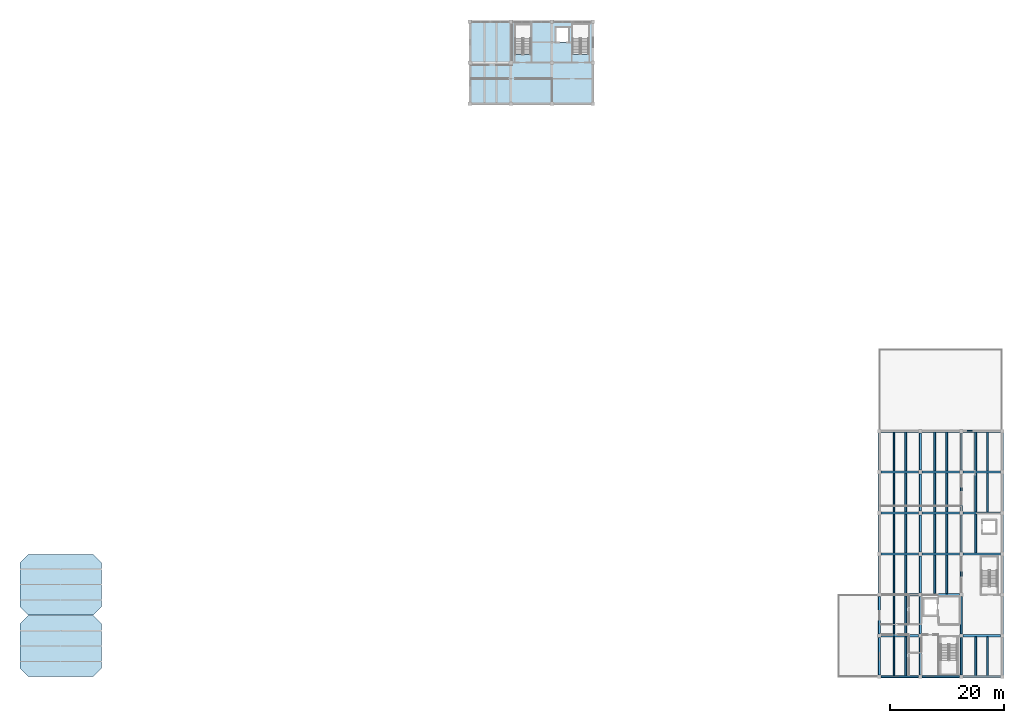
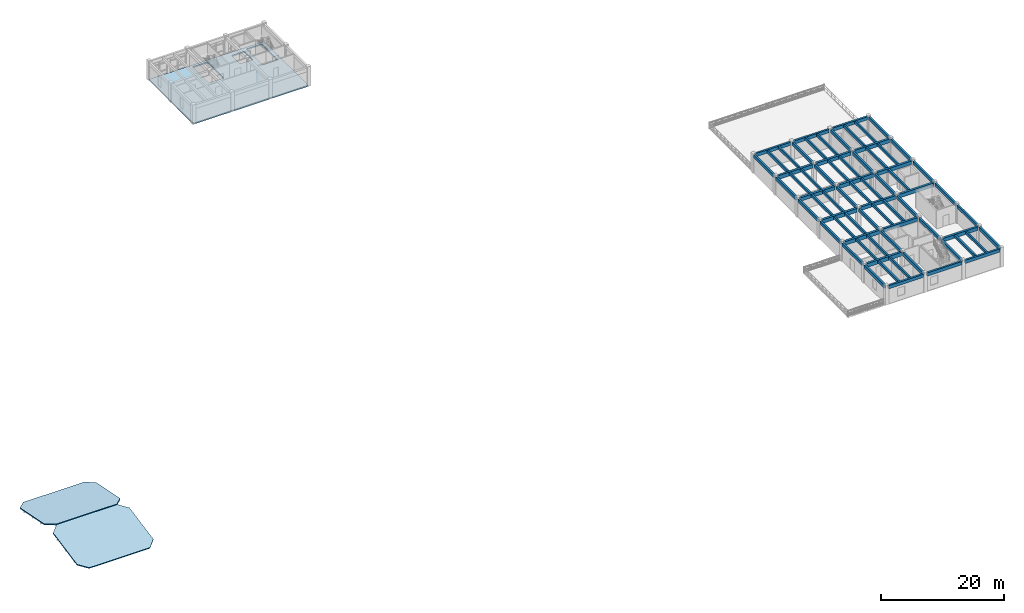
# One storey, part 4 of 13: 70 beams, 3 slabs.
"""IFC4 building model written with IfcOpenShell, lengths in metres."""

from ifc_helpers import new_model, si_unit, direction, frame, origin, origin_2d, place, context, subcontext, project, spatial, polyline, rectangle, outline, extrude, material, layer, layer_set, material_profile, profile_set, type_object, element, save


model = new_model("IFC4")

# Units and contexts
model_context = context("Model", 3, precision=1e-05, world=origin(), true_north=direction((0.0, 1.0)))
body_context = subcontext(model_context, "Body", "Model", "MODEL_VIEW")
ifc_project = project(units=[si_unit("LENGTHUNIT", "METRE"), si_unit("AREAUNIT", "SQUARE_METRE"), si_unit("VOLUMEUNIT", "CUBIC_METRE"), si_unit("PLANEANGLEUNIT", "RADIAN"), si_unit("MASSUNIT", "GRAM", prefix="KILO")], contexts=[model_context])

# Site, building, storey
site_placement = place(None, origin())
site = spatial("IfcSite", under=ifc_project, at=site_placement, CompositionType="ELEMENT")
building_placement = place(site_placement, origin())
building = spatial("IfcBuilding", under=site, at=building_placement, Name="Koriwan Promenade Central Fire Station", CompositionType="ELEMENT")
storey_placement = place(building_placement, frame((0.0, 0.0, 13.5)))
storey = spatial("IfcBuildingStorey", under=building, at=storey_placement, Name="L03", CompositionType="ELEMENT", Elevation=13.5)

# Beams
ifc_material = material(Name="Concrete C35/45", Category="concrete")
ifc_material_profile_1 = material_profile(ifc_material, rectangle(XDim=0.300048828125, YDim=0.5, at=origin_2d()), Name="RC-BM-300x500")
ifc_profile_set_1 = profile_set([ifc_material_profile_1], Name="Concrete C35/45")
beam_type_1 = type_object("IfcBeamType", Name="Beam_RC-BM-300x500", PredefinedType="JOIST", material=ifc_profile_set_1)
for number, where, z_axis, x_axis, name in (
    (1, (153.751953125, 0.175048828125, 3.3701171875), (0.0, 1.0, 0.0), (-1.0, 0.0, 0.0), "V5 L03 secondary joist 903"),
    (2, (168.152099609375, 0.175048828125, 3.3701171875), (0.0, 1.0, 0.0), (-1.0, 0.0, 0.0), "V5 L03 secondary joist 905"),
):
    element("IfcBeam", number, at=place(storey_placement, frame(where, z_axis=z_axis, x_axis=x_axis)), inside=storey, type_object=beam_type_1, Name=name, PredefinedType="JOIST", context=body_context, shape_type="SweptSolid", body=[
        extrude(rectangle(XDim=0.300048828125, YDim=0.5, at=origin_2d()), origin(), (0.0, 0.0, 1.0), 6.824951171875),
    ])
beam_1_placement = place(storey_placement, frame((153.751953125, 7.39990234375, 3.3701171875), z_axis=(0.0, 1.0, 0.0), x_axis=(-1.0, 0.0, 0.0)))
element("IfcBeam", 3, at=beam_1_placement, inside=storey, type_object=beam_type_1, Name="V5 L03 secondary joist 907", PredefinedType="JOIST", context=body_context, shape_type="SweptSolid", body=[
    extrude(rectangle(XDim=0.300048828125, YDim=0.5, at=origin_2d()), origin(), (0.0, 0.0, 1.0), 6.800048828125),
])
for number, where, z_axis, x_axis, name in (
    (4, (153.751953125, 14.60009765625, 3.3701171875), (0.0, 1.0, 0.0), (-1.0, 0.0, 0.0), "V5 L03 secondary joist 909"),
    (5, (160.951904296875, 14.60009765625, 3.3701171875), (0.0, 1.0, 0.0), (-1.0, 0.0, 0.0), "V5 L03 secondary joist 911"),
):
    element("IfcBeam", number, at=place(storey_placement, frame(where, z_axis=z_axis, x_axis=x_axis)), inside=storey, type_object=beam_type_1, Name=name, PredefinedType="JOIST", context=body_context, shape_type="SweptSolid", body=[
        extrude(rectangle(XDim=0.300048828125, YDim=0.5, at=origin_2d()), origin(), (0.0, 0.0, 1.0), 6.7998046875),
    ])
for number, where, z_axis, x_axis, name in (
    (6, (153.751953125, 21.800048828125, 3.3701171875), (0.0, 1.0, 0.0), (-1.0, 0.0, 0.0), "V5 L03 secondary joist 913"),
    (7, (160.951904296875, 21.800048828125, 3.3701171875), (0.0, 1.0, 0.0), (-1.0, 0.0, 0.0), "V5 L03 secondary joist 915"),
    (8, (168.152099609375, 21.800048828125, 3.3701171875), (0.0, 1.0, 0.0), (-1.0, 0.0, 0.0), "V5 L03 secondary joist 917"),
    (9, (155.847900390625, 29.0, 3.3701171875), (0.0, 1.0, 0.0), (-1.0, 0.0, 0.0), "V5 L03 secondary joist 919"),
    (10, (163.048095703125, 29.0, 3.3701171875), (0.0, 1.0, 0.0), (-1.0, 0.0, 0.0), "V5 L03 secondary joist 921"),
    (11, (170.248046875, 29.0, 3.3701171875), (0.0, 1.0, 0.0), (-1.0, 0.0, 0.0), "V5 L03 secondary joist 923"),
):
    element("IfcBeam", number, at=place(storey_placement, frame(where, z_axis=z_axis, x_axis=x_axis)), inside=storey, type_object=beam_type_1, Name=name, PredefinedType="JOIST", context=body_context, shape_type="SweptSolid", body=[
        extrude(rectangle(XDim=0.300048828125, YDim=0.5, at=origin_2d()), origin(), (0.0, 0.0, 1.0), 6.800048828125),
    ])
for number, where, z_axis, x_axis, name in (
    (12, (155.847900390625, 36.199951171875, 3.3701171875), (0.0, 1.0, 0.0), (-1.0, 0.0, 0.0), "V5 L03 secondary joist 925"),
    (13, (163.048095703125, 36.199951171875, 3.3701171875), (0.0, 1.0, 0.0), (-1.0, 0.0, 0.0), "V5 L03 secondary joist 927"),
    (14, (170.248046875, 36.199951171875, 3.3701171875), (0.0, 1.0, 0.0), (-1.0, 0.0, 0.0), "V5 L03 secondary joist 929"),
):
    element("IfcBeam", number, at=place(storey_placement, frame(where, z_axis=z_axis, x_axis=x_axis)), inside=storey, type_object=beam_type_1, Name=name, PredefinedType="JOIST", context=body_context, shape_type="SweptSolid", body=[
        extrude(rectangle(XDim=0.300048828125, YDim=0.5, at=origin_2d()), origin(), (0.0, 0.0, 1.0), 6.824951171875),
    ])
ifc_material_profile_2 = material_profile(ifc_material, rectangle(XDim=0.300048828125, YDim=0.550048828125, at=origin_2d()), Name="RC-BM-300x550")
ifc_profile_set_2 = profile_set([ifc_material_profile_2], Name="Concrete C35/45")
beam_type_2 = type_object("IfcBeamType", Name="Beam_RC-BM-300x550", PredefinedType="JOIST", material=ifc_profile_set_2)
for number, where, z_axis, x_axis, name in (
    (15, (155.847900390625, 0.175048828125, 3.344970703125), (0.0, 1.0, 0.0), (-1.0, 0.0, 0.0), "V5 L03 secondary joist 904"),
    (16, (170.248046875, 0.175048828125, 3.344970703125), (0.0, 1.0, 0.0), (-1.0, 0.0, 0.0), "V5 L03 secondary joist 906"),
):
    element("IfcBeam", number, at=place(storey_placement, frame(where, z_axis=z_axis, x_axis=x_axis)), inside=storey, type_object=beam_type_2, Name=name, PredefinedType="JOIST", context=body_context, shape_type="SweptSolid", body=[
        extrude(rectangle(XDim=0.300048828125, YDim=0.550048828125, at=origin_2d()), origin(), (0.0, 0.0, 1.0), 6.824951171875),
    ])
beam_2_placement = place(storey_placement, frame((155.847900390625, 7.39990234375, 3.344970703125), z_axis=(0.0, 1.0, 0.0), x_axis=(-1.0, 0.0, 0.0)))
element("IfcBeam", 17, at=beam_2_placement, inside=storey, type_object=beam_type_2, Name="V5 L03 secondary joist 908", PredefinedType="JOIST", context=body_context, shape_type="SweptSolid", body=[
    extrude(rectangle(XDim=0.300048828125, YDim=0.550048828125, at=origin_2d()), origin(), (0.0, 0.0, 1.0), 6.800048828125),
])
for number, where, z_axis, x_axis, name in (
    (18, (155.847900390625, 14.60009765625, 3.344970703125), (0.0, 1.0, 0.0), (-1.0, 0.0, 0.0), "V5 L03 secondary joist 910"),
    (19, (163.048095703125, 14.60009765625, 3.344970703125), (0.0, 1.0, 0.0), (-1.0, 0.0, 0.0), "V5 L03 secondary joist 912"),
):
    element("IfcBeam", number, at=place(storey_placement, frame(where, z_axis=z_axis, x_axis=x_axis)), inside=storey, type_object=beam_type_2, Name=name, PredefinedType="JOIST", context=body_context, shape_type="SweptSolid", body=[
        extrude(rectangle(XDim=0.300048828125, YDim=0.550048828125, at=origin_2d()), origin(), (0.0, 0.0, 1.0), 6.7998046875),
    ])
for number, where, z_axis, x_axis, name in (
    (20, (155.847900390625, 21.800048828125, 3.344970703125), (0.0, 1.0, 0.0), (-1.0, 0.0, 0.0), "V5 L03 secondary joist 914"),
    (21, (163.048095703125, 21.800048828125, 3.344970703125), (0.0, 1.0, 0.0), (-1.0, 0.0, 0.0), "V5 L03 secondary joist 916"),
    (22, (153.751953125, 29.0, 3.344970703125), (0.0, 1.0, 0.0), (-1.0, 0.0, 0.0), "V5 L03 secondary joist 918"),
    (23, (160.951904296875, 29.0, 3.344970703125), (0.0, 1.0, 0.0), (-1.0, 0.0, 0.0), "V5 L03 secondary joist 920"),
    (24, (168.152099609375, 29.0, 3.344970703125), (0.0, 1.0, 0.0), (-1.0, 0.0, 0.0), "V5 L03 secondary joist 922"),
):
    element("IfcBeam", number, at=place(storey_placement, frame(where, z_axis=z_axis, x_axis=x_axis)), inside=storey, type_object=beam_type_2, Name=name, PredefinedType="JOIST", context=body_context, shape_type="SweptSolid", body=[
        extrude(rectangle(XDim=0.300048828125, YDim=0.550048828125, at=origin_2d()), origin(), (0.0, 0.0, 1.0), 6.800048828125),
    ])
for number, where, z_axis, x_axis, name in (
    (25, (153.751953125, 36.199951171875, 3.344970703125), (0.0, 1.0, 0.0), (-1.0, 0.0, 0.0), "V5 L03 secondary joist 924"),
    (26, (160.951904296875, 36.199951171875, 3.344970703125), (0.0, 1.0, 0.0), (-1.0, 0.0, 0.0), "V5 L03 secondary joist 926"),
    (27, (168.152099609375, 36.199951171875, 3.344970703125), (0.0, 1.0, 0.0), (-1.0, 0.0, 0.0), "V5 L03 secondary joist 928"),
):
    element("IfcBeam", number, at=place(storey_placement, frame(where, z_axis=z_axis, x_axis=x_axis)), inside=storey, type_object=beam_type_2, Name=name, PredefinedType="JOIST", context=body_context, shape_type="SweptSolid", body=[
        extrude(rectangle(XDim=0.300048828125, YDim=0.550048828125, at=origin_2d()), origin(), (0.0, 0.0, 1.0), 6.824951171875),
    ])
ifc_material_profile_3 = material_profile(ifc_material, rectangle(XDim=0.35009765625, YDim=0.60009765625, at=origin_2d()), Name="RC-BM-350x600")
ifc_profile_set_3 = profile_set([ifc_material_profile_3], Name="Concrete C35/45")
beam_type_3 = type_object("IfcBeamType", Name="Beam_RC-BM-350x600", PredefinedType="BEAM", material=ifc_profile_set_3)
for number, where, z_axis, x_axis, name in (
    (28, (151.199951171875, 7.52490234375, 3.320068359375), (0.0, 1.0, 0.0), (-1.0, 0.0, 0.0), "V5 L03 girder Y-880"),
    (29, (151.199951171875, 21.925048828125, 3.320068359375), (0.0, 1.0, 0.0), (-1.0, 0.0, 0.0), "V5 L03 girder Y-882"),
    (30, (151.199951171875, 36.324951171875, 3.360107421875), (0.0, 1.0, 0.0), (-1.0, 0.0, 0.0), "V5 L03 girder Y-884"),
    (31, (158.39990234375, 7.52490234375, 3.320068359375), (0.0, 1.0, 0.0), (-1.0, 0.0, 0.0), "V5 L03 girder Y-886"),
    (32, (158.39990234375, 21.925048828125, 3.320068359375), (0.0, 1.0, 0.0), (-1.0, 0.0, 0.0), "V5 L03 girder Y-888"),
    (33, (158.39990234375, 36.324951171875, 3.360107421875), (0.0, 1.0, 0.0), (-1.0, 0.0, 0.0), "V5 L03 girder Y-890"),
    (34, (165.60009765625, 7.52490234375, 3.320068359375), (0.0, 1.0, 0.0), (-1.0, 0.0, 0.0), "V5 L03 girder Y-892"),
    (35, (165.60009765625, 21.925048828125, 3.320068359375), (0.0, 1.0, 0.0), (-1.0, 0.0, 0.0), "V5 L03 girder Y-894"),
    (36, (165.60009765625, 36.324951171875, 3.360107421875), (0.0, 1.0, 0.0), (-1.0, 0.0, 0.0), "V5 L03 girder Y-896"),
    (37, (172.800048828125, 7.52490234375, 3.320068359375), (0.0, 1.0, 0.0), (-1.0, 0.0, 0.0), "V5 L03 girder Y-898"),
    (38, (172.800048828125, 21.925048828125, 3.320068359375), (0.0, 1.0, 0.0), (-1.0, 0.0, 0.0), "V5 L03 girder Y-900"),
    (39, (172.800048828125, 36.324951171875, 3.360107421875), (0.0, 1.0, 0.0), (-1.0, 0.0, 0.0), "V5 L03 girder Y-902"),
):
    element("IfcBeam", number, at=place(storey_placement, frame(where, z_axis=z_axis, x_axis=x_axis)), inside=storey, type_object=beam_type_3, Name=name, PredefinedType="BEAM", context=body_context, shape_type="SweptSolid", body=[
        extrude(rectangle(XDim=0.35009765625, YDim=0.60009765625, at=origin_2d()), origin(), (0.0, 0.0, 1.0), 6.550048828125),
    ])
ifc_material_profile_4 = material_profile(ifc_material, rectangle(XDim=0.35009765625, YDim=0.64990234375, at=origin_2d()), Name="RC-BM-350x650")
ifc_profile_set_4 = profile_set([ifc_material_profile_4], Name="Concrete C35/45")
beam_type_4 = type_object("IfcBeamType", Name="Beam_RC-BM-350x650", PredefinedType="BEAM", material=ifc_profile_set_4)
beam_3_placement = place(storey_placement, frame((151.199951171875, 0.324951171875, 3.294921875), z_axis=(0.0, 1.0, 0.0), x_axis=(-1.0, 0.0, 0.0)))
element("IfcBeam", 40, at=beam_3_placement, inside=storey, type_object=beam_type_4, Name="V5 L03 girder Y-879", PredefinedType="BEAM", context=body_context, shape_type="SweptSolid", body=[
    extrude(rectangle(XDim=0.35009765625, YDim=0.64990234375, at=origin_2d()), origin(), (0.0, 0.0, 1.0), 6.550048828125),
])
beam_4_placement = place(storey_placement, frame((151.199951171875, 14.72509765625, 3.294921875), z_axis=(0.0, 1.0, 0.0), x_axis=(-1.0, 0.0, 0.0)))
element("IfcBeam", 41, at=beam_4_placement, inside=storey, type_object=beam_type_4, Name="V5 L03 girder Y-881", PredefinedType="BEAM", context=body_context, shape_type="SweptSolid", body=[
    extrude(rectangle(XDim=0.35009765625, YDim=0.64990234375, at=origin_2d()), origin(), (0.0, 0.0, 1.0), 6.5498046875),
])
for number, where, z_axis, x_axis, name in (
    (42, (151.199951171875, 29.125, 3.294921875), (0.0, 1.0, 0.0), (-1.0, 0.0, 0.0), "V5 L03 girder Y-883"),
    (43, (158.39990234375, 0.324951171875, 3.294921875), (0.0, 1.0, 0.0), (-1.0, 0.0, 0.0), "V5 L03 girder Y-885"),
):
    element("IfcBeam", number, at=place(storey_placement, frame(where, z_axis=z_axis, x_axis=x_axis)), inside=storey, type_object=beam_type_4, Name=name, PredefinedType="BEAM", context=body_context, shape_type="SweptSolid", body=[
        extrude(rectangle(XDim=0.35009765625, YDim=0.64990234375, at=origin_2d()), origin(), (0.0, 0.0, 1.0), 6.550048828125),
    ])
beam_5_placement = place(storey_placement, frame((158.39990234375, 14.72509765625, 3.294921875), z_axis=(0.0, 1.0, 0.0), x_axis=(-1.0, 0.0, 0.0)))
element("IfcBeam", 44, at=beam_5_placement, inside=storey, type_object=beam_type_4, Name="V5 L03 girder Y-887", PredefinedType="BEAM", context=body_context, shape_type="SweptSolid", body=[
    extrude(rectangle(XDim=0.35009765625, YDim=0.64990234375, at=origin_2d()), origin(), (0.0, 0.0, 1.0), 6.5498046875),
])
for number, where, z_axis, x_axis, name in (
    (45, (158.39990234375, 29.125, 3.294921875), (0.0, 1.0, 0.0), (-1.0, 0.0, 0.0), "V5 L03 girder Y-889"),
    (46, (165.60009765625, 0.324951171875, 3.294921875), (0.0, 1.0, 0.0), (-1.0, 0.0, 0.0), "V5 L03 girder Y-891"),
):
    element("IfcBeam", number, at=place(storey_placement, frame(where, z_axis=z_axis, x_axis=x_axis)), inside=storey, type_object=beam_type_4, Name=name, PredefinedType="BEAM", context=body_context, shape_type="SweptSolid", body=[
        extrude(rectangle(XDim=0.35009765625, YDim=0.64990234375, at=origin_2d()), origin(), (0.0, 0.0, 1.0), 6.550048828125),
    ])
beam_6_placement = place(storey_placement, frame((165.60009765625, 14.72509765625, 3.294921875), z_axis=(0.0, 1.0, 0.0), x_axis=(-1.0, 0.0, 0.0)))
element("IfcBeam", 47, at=beam_6_placement, inside=storey, type_object=beam_type_4, Name="V5 L03 girder Y-893", PredefinedType="BEAM", context=body_context, shape_type="SweptSolid", body=[
    extrude(rectangle(XDim=0.35009765625, YDim=0.64990234375, at=origin_2d()), origin(), (0.0, 0.0, 1.0), 6.5498046875),
])
for number, where, z_axis, x_axis, name in (
    (48, (165.60009765625, 29.125, 3.294921875), (0.0, 1.0, 0.0), (-1.0, 0.0, 0.0), "V5 L03 girder Y-895"),
    (49, (172.800048828125, 0.324951171875, 3.294921875), (0.0, 1.0, 0.0), (-1.0, 0.0, 0.0), "V5 L03 girder Y-897"),
):
    element("IfcBeam", number, at=place(storey_placement, frame(where, z_axis=z_axis, x_axis=x_axis)), inside=storey, type_object=beam_type_4, Name=name, PredefinedType="BEAM", context=body_context, shape_type="SweptSolid", body=[
        extrude(rectangle(XDim=0.35009765625, YDim=0.64990234375, at=origin_2d()), origin(), (0.0, 0.0, 1.0), 6.550048828125),
    ])
beam_7_placement = place(storey_placement, frame((172.800048828125, 14.72509765625, 3.294921875), z_axis=(0.0, 1.0, 0.0), x_axis=(-1.0, 0.0, 0.0)))
element("IfcBeam", 50, at=beam_7_placement, inside=storey, type_object=beam_type_4, Name="V5 L03 girder Y-899", PredefinedType="BEAM", context=body_context, shape_type="SweptSolid", body=[
    extrude(rectangle(XDim=0.35009765625, YDim=0.64990234375, at=origin_2d()), origin(), (0.0, 0.0, 1.0), 6.5498046875),
])
beam_8_placement = place(storey_placement, frame((172.800048828125, 29.125, 3.294921875), z_axis=(0.0, 1.0, 0.0), x_axis=(-1.0, 0.0, 0.0)))
element("IfcBeam", 51, at=beam_8_placement, inside=storey, type_object=beam_type_4, Name="V5 L03 girder Y-901", PredefinedType="BEAM", context=body_context, shape_type="SweptSolid", body=[
    extrude(rectangle(XDim=0.35009765625, YDim=0.64990234375, at=origin_2d()), origin(), (0.0, 0.0, 1.0), 6.550048828125),
])
ifc_material_profile_5 = material_profile(ifc_material, rectangle(XDim=0.39990234375, YDim=0.699951171875, at=origin_2d()), Name="RC-BM-400x700")
ifc_profile_set_5 = profile_set([ifc_material_profile_5], Name="Concrete C35/45")
beam_type_5 = type_object("IfcBeamType", Name="Beam_RC-BM-400x700", PredefinedType="BEAM", material=ifc_profile_set_5)
beam_9_placement = place(storey_placement, frame((165.925048828125, 7.199951171875, 3.27001953125), z_axis=(1.0, 0.0, 0.0), x_axis=(0.0, 1.0, 0.0)))
element("IfcBeam", 52, at=beam_9_placement, inside=storey, type_object=beam_type_5, Name="V5 L03 girder X-864", PredefinedType="BEAM", context=body_context, shape_type="SweptSolid", body=[
    extrude(rectangle(XDim=0.39990234375, YDim=0.699951171875, at=origin_2d()), origin(), (0.0, 0.0, 1.0), 6.550048828125),
])
for number, where, z_axis, x_axis, name in (
    (53, (158.72509765625, 14.39990234375, 3.27001953125), (1.0, 0.0, 0.0), (0.0, 1.0, 0.0), "V5 L03 girder X-866"),
    (54, (158.72509765625, 21.60009765625, 3.27001953125), (1.0, 0.0, 0.0), (0.0, 1.0, 0.0), "V5 L03 girder X-868"),
):
    element("IfcBeam", number, at=place(storey_placement, frame(where, z_axis=z_axis, x_axis=x_axis)), inside=storey, type_object=beam_type_5, Name=name, PredefinedType="BEAM", context=body_context, shape_type="SweptSolid", body=[
        extrude(rectangle(XDim=0.39990234375, YDim=0.699951171875, at=origin_2d()), origin(), (0.0, 0.0, 1.0), 6.5498046875),
    ])
for number, where, z_axis, x_axis, name in (
    (55, (151.52490234375, 28.800048828125, 3.27001953125), (1.0, 0.0, 0.0), (0.0, 1.0, 0.0), "V5 L03 girder X-870"),
    (56, (165.925048828125, 28.800048828125, 3.27001953125), (1.0, 0.0, 0.0), (0.0, 1.0, 0.0), "V5 L03 girder X-872"),
):
    element("IfcBeam", number, at=place(storey_placement, frame(where, z_axis=z_axis, x_axis=x_axis)), inside=storey, type_object=beam_type_5, Name=name, PredefinedType="BEAM", context=body_context, shape_type="SweptSolid", body=[
        extrude(rectangle(XDim=0.39990234375, YDim=0.699951171875, at=origin_2d()), origin(), (0.0, 0.0, 1.0), 6.550048828125),
    ])
beam_10_placement = place(storey_placement, frame((158.72509765625, 36.0, 3.27001953125), z_axis=(1.0, 0.0, 0.0), x_axis=(0.0, 1.0, 0.0)))
element("IfcBeam", 57, at=beam_10_placement, inside=storey, type_object=beam_type_5, Name="V5 L03 girder X-874", PredefinedType="BEAM", context=body_context, shape_type="SweptSolid", body=[
    extrude(rectangle(XDim=0.39990234375, YDim=0.699951171875, at=origin_2d()), origin(), (0.0, 0.0, 1.0), 6.5498046875),
])
ifc_material_profile_6 = material_profile(ifc_material, rectangle(XDim=0.39990234375, YDim=0.75, at=origin_2d()), Name="RC-BM-400x750")
ifc_profile_set_6 = profile_set([ifc_material_profile_6], Name="Concrete C35/45")
beam_type_6 = type_object("IfcBeamType", Name="Beam_RC-BM-400x750", PredefinedType="BEAM", material=ifc_profile_set_6)
for number, where, z_axis, x_axis, name in (
    (58, (151.52490234375, 7.199951171875, 3.2451171875), (1.0, 0.0, 0.0), (0.0, 1.0, 0.0), "V5 L03 girder X-863"),
    (59, (151.52490234375, 14.39990234375, 3.2451171875), (1.0, 0.0, 0.0), (0.0, 1.0, 0.0), "V5 L03 girder X-865"),
    (60, (151.52490234375, 21.60009765625, 3.2451171875), (1.0, 0.0, 0.0), (0.0, 1.0, 0.0), "V5 L03 girder X-867"),
    (61, (165.925048828125, 21.60009765625, 3.2451171875), (1.0, 0.0, 0.0), (0.0, 1.0, 0.0), "V5 L03 girder X-869"),
):
    element("IfcBeam", number, at=place(storey_placement, frame(where, z_axis=z_axis, x_axis=x_axis)), inside=storey, type_object=beam_type_6, Name=name, PredefinedType="BEAM", context=body_context, shape_type="SweptSolid", body=[
        extrude(rectangle(XDim=0.39990234375, YDim=0.75, at=origin_2d()), origin(), (0.0, 0.0, 1.0), 6.550048828125),
    ])
beam_11_placement = place(storey_placement, frame((158.72509765625, 28.800048828125, 3.2451171875), z_axis=(1.0, 0.0, 0.0), x_axis=(0.0, 1.0, 0.0)))
element("IfcBeam", 62, at=beam_11_placement, inside=storey, type_object=beam_type_6, Name="V5 L03 girder X-871", PredefinedType="BEAM", context=body_context, shape_type="SweptSolid", body=[
    extrude(rectangle(XDim=0.39990234375, YDim=0.75, at=origin_2d()), origin(), (0.0, 0.0, 1.0), 6.5498046875),
])
for number, where, z_axis, x_axis, name in (
    (63, (151.52490234375, 36.0, 3.2451171875), (1.0, 0.0, 0.0), (0.0, 1.0, 0.0), "V5 L03 girder X-873"),
    (64, (165.925048828125, 36.0, 3.2451171875), (1.0, 0.0, 0.0), (0.0, 1.0, 0.0), "V5 L03 girder X-875"),
):
    element("IfcBeam", number, at=place(storey_placement, frame(where, z_axis=z_axis, x_axis=x_axis)), inside=storey, type_object=beam_type_6, Name=name, PredefinedType="BEAM", context=body_context, shape_type="SweptSolid", body=[
        extrude(rectangle(XDim=0.39990234375, YDim=0.75, at=origin_2d()), origin(), (0.0, 0.0, 1.0), 6.550048828125),
    ])
ifc_material_profile_7 = material_profile(ifc_material, rectangle(XDim=0.35009765625, YDim=0.64990234375, at=origin_2d()), Name="RC-SP-350x650")
ifc_profile_set_7 = profile_set([ifc_material_profile_7], Name="Concrete C35/45")
beam_type_7 = type_object("IfcBeamType", Name="Beam_RC-SP-350x650", PredefinedType="SPANDREL", material=ifc_profile_set_7)
beam_12_placement = place(storey_placement, frame((151.52490234375, 0.0, 3.294921875), z_axis=(1.0, 0.0, 0.0), x_axis=(0.0, 1.0, 0.0)))
element("IfcBeam", 65, at=beam_12_placement, inside=storey, type_object=beam_type_7, Name="V5 L03 girder X-860", PredefinedType="SPANDREL", context=body_context, shape_type="SweptSolid", body=[
    extrude(rectangle(XDim=0.35009765625, YDim=0.64990234375, at=origin_2d()), origin(), (0.0, 0.0, 1.0), 6.550048828125),
])
beam_13_placement = place(storey_placement, frame((158.72509765625, 0.0, 3.294921875), z_axis=(1.0, 0.0, 0.0), x_axis=(0.0, 1.0, 0.0)))
element("IfcBeam", 66, at=beam_13_placement, inside=storey, type_object=beam_type_7, Name="V5 L03 girder X-861", PredefinedType="SPANDREL", context=body_context, shape_type="SweptSolid", body=[
    extrude(rectangle(XDim=0.35009765625, YDim=0.64990234375, at=origin_2d()), origin(), (0.0, 0.0, 1.0), 6.5498046875),
])
for number, where, z_axis, x_axis, name in (
    (67, (165.925048828125, 0.0, 3.294921875), (1.0, 0.0, 0.0), (0.0, 1.0, 0.0), "V5 L03 girder X-862"),
    (68, (151.52490234375, 43.199951171875, 3.3349609375), (1.0, 0.0, 0.0), (0.0, 1.0, 0.0), "V5 L03 girder X-876"),
):
    element("IfcBeam", number, at=place(storey_placement, frame(where, z_axis=z_axis, x_axis=x_axis)), inside=storey, type_object=beam_type_7, Name=name, PredefinedType="SPANDREL", context=body_context, shape_type="SweptSolid", body=[
        extrude(rectangle(XDim=0.35009765625, YDim=0.64990234375, at=origin_2d()), origin(), (0.0, 0.0, 1.0), 6.550048828125),
    ])
beam_14_placement = place(storey_placement, frame((158.72509765625, 43.199951171875, 3.3349609375), z_axis=(1.0, 0.0, 0.0), x_axis=(0.0, 1.0, 0.0)))
element("IfcBeam", 69, at=beam_14_placement, inside=storey, type_object=beam_type_7, Name="V5 L03 girder X-877", PredefinedType="SPANDREL", context=body_context, shape_type="SweptSolid", body=[
    extrude(rectangle(XDim=0.35009765625, YDim=0.64990234375, at=origin_2d()), origin(), (0.0, 0.0, 1.0), 6.5498046875),
])
beam_15_placement = place(storey_placement, frame((165.925048828125, 43.199951171875, 3.3349609375), z_axis=(1.0, 0.0, 0.0), x_axis=(0.0, 1.0, 0.0)))
element("IfcBeam", 70, at=beam_15_placement, inside=storey, type_object=beam_type_7, Name="V5 L03 girder X-878", PredefinedType="SPANDREL", context=body_context, shape_type="SweptSolid", body=[
    extrude(rectangle(XDim=0.35009765625, YDim=0.64990234375, at=origin_2d()), origin(), (0.0, 0.0, 1.0), 6.550048828125),
])

# Slabs
ifc_layer_1 = layer(ifc_material, 0.25, Name="Concrete C35/45")
ifc_layer_set_1 = layer_set([ifc_layer_1], Name="Concrete C35/45")
slab_type_1 = type_object("IfcSlabType", Name="FloorSlab_250", PredefinedType="FLOOR", material=ifc_layer_set_1)
slab_1_placement = place(storey_placement, frame((0.0, 0.0, -0.25)))
element("IfcSlab", 71, at=slab_1_placement, inside=storey, type_object=slab_type_1, Name="V2 L03 structural slab 1", PredefinedType="FLOOR", context=body_context, shape_type="SweptSolid", body=[
    extrude(outline(polyline([(100.800048828125, 115.199951171875), (100.800048828125, 100.800048828125), (79.199951171875, 100.800048828125), (79.199951171875, 115.199951171875), (100.800048828125, 115.199951171875)]), holes=[polyline([(97.219970703125, 109.491943359375), (100.050048828125, 109.491943359375), (100.050048828125, 114.75), (97.219970703125, 114.75), (97.219970703125, 109.491943359375)]), polyline([(87.110107421875, 114.7099609375), (87.110107421875, 109.471923828125), (89.89990234375, 109.471923828125), (89.89990234375, 114.7099609375), (87.110107421875, 114.7099609375)]), polyline([(94.199951171875, 114.300048828125), (94.199951171875, 111.60009765625), (96.60009765625, 111.60009765625), (96.60009765625, 114.300048828125), (94.199951171875, 114.300048828125)])]), origin(), (0.0, 0.0, 1.0), 0.25),
])
ifc_layer_2 = layer(ifc_material, 0.199951171875, Name="Concrete C35/45")
ifc_layer_set_2 = layer_set([ifc_layer_2], Name="Concrete C35/45")
slab_type_2 = type_object("IfcSlabType", Name="RoofSlab_200", PredefinedType="ROOF", material=ifc_layer_set_2)
slab_2_placement = place(storey_placement, frame((1.485107421875, 0.06494140625, 0.0), z_axis=(0.0, -0.193114736049, 0.981176181285), x_axis=(1.0, 0.0, 0.0)))
element("IfcSlab", 72, at=slab_2_placement, inside=storey, type_object=slab_type_2, Name="V3 west pavilion pitched roof facet 1", PredefinedType="ROOF", context=body_context, shape_type="SweptSolid", body=[
    extrude(outline(polyline([(0.0, 0.0), (11.429931640625, 0.0), (12.8798828125, 1.4777725749736375), (12.8798828125, 9.396860429510415), (11.429931640625, 10.874872549450187), (0.0, 10.874872549450187), (-1.4501953125, 9.396860429510415), (-1.4501953125, 1.4777725749736375), (0.0, 0.0)])), origin(), (0.0, 0.0, -1.0), 0.199951171875),
])
slab_3_placement = place(storey_placement, frame((1.485107421875, 10.864990234375, 2.10009765625), z_axis=(0.0, 0.193118667623, 0.981175407466), x_axis=(1.0, 0.0, 0.0)))
element("IfcSlab", 73, at=slab_3_placement, inside=storey, type_object=slab_type_2, Name="V3 west pavilion pitched roof facet 2", PredefinedType="ROOF", context=body_context, shape_type="SweptSolid", body=[
    extrude(outline(polyline([(0.0, 0.0), (11.429931640625, 0.0), (12.8798828125, 1.4777725750464317), (12.8798828125, 9.396860429537254), (11.429931640625, 10.874633004583686), (0.0, 10.874633004583686), (-1.4501953125, 9.396860429537254), (-1.4501953125, 1.4777725750464317), (0.0, 0.0)])), origin(), (0.0, 0.0, -1.0), 0.199951171875),
])

save(model, "model.ifc")
